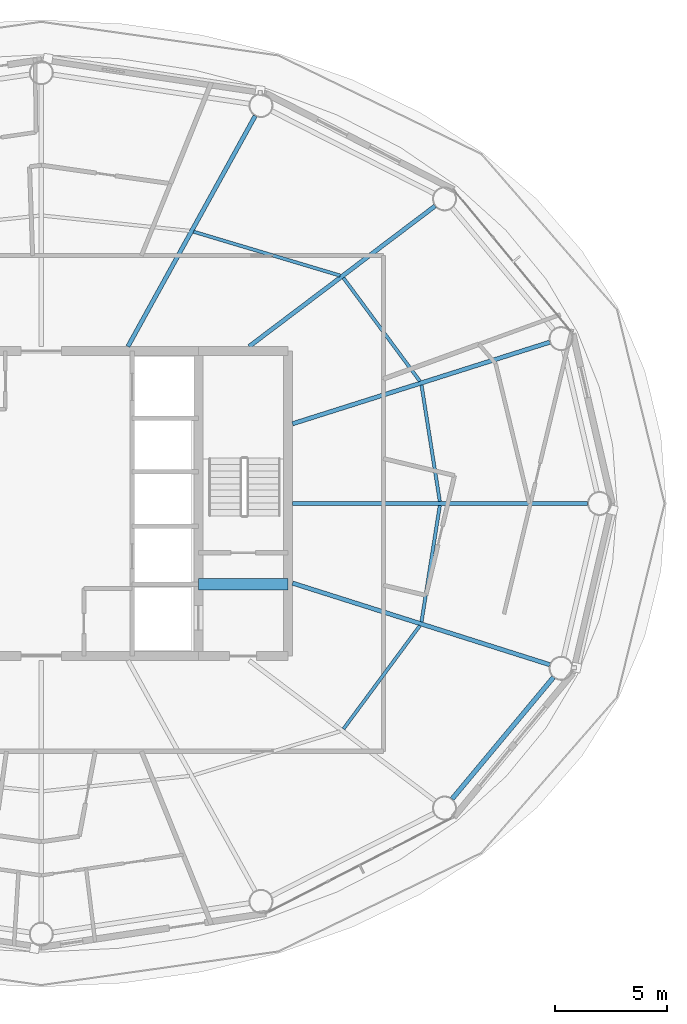
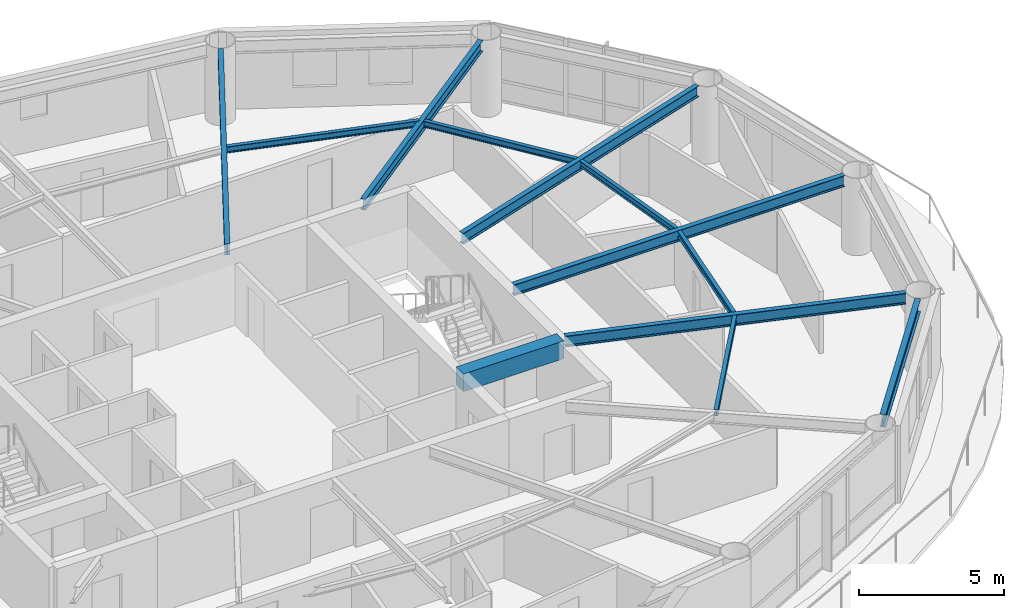
# One storey, part 8 of 24: 12 beams.
"""IFC4 building model written with IfcOpenShell, lengths in metres."""

import ifcopenshell
import ifcopenshell.guid

model = None  # the IFC model being written
_history = None  # IfcOwnerHistory: only IFC2X3 demands one
_inside = {}  # id of a spatial element -> (the spatial element, [elements in it])
_under = {}  # id of a project, library or spatial element -> (it, [spatial elements below it])
_declared = {}  # id of a project -> (the project, [libraries it declares])
_typed = {}  # id of a type object -> (the type object, [elements of that type])
_made_of = {}  # id of a material, layer set ... -> (it, [elements and type objects made of it])


def new_model(schema):
    """Start an empty IFC model of exactly this schema.

    Asked for "IFC4X3", IfcOpenShell would pick the latest addendum, in which some entities
    have other attributes; the version numbers below select the first issue.
    IFC2X3 requires an IfcOwnerHistory on every rooted entity: one is made here for all.
    """
    global model, _history
    if schema == "IFC4X3":
        model = ifcopenshell.file(schema_version=(4, 3, 0, 0))
    else:
        model = ifcopenshell.file(schema=schema)
    _inside.clear()
    _under.clear()
    _declared.clear()
    _typed.clear()
    _made_of.clear()
    _history = None
    if model.schema == "IFC2X3":
        org = make("IfcOrganization", Name="unknown")
        user = make(
            "IfcPersonAndOrganization",
            ThePerson=make("IfcPerson", FamilyName="unknown"),
            TheOrganization=org,
        )
        app = make(
            "IfcApplication",
            ApplicationDeveloper=org,
            Version="unknown",
            ApplicationFullName="unknown",
            ApplicationIdentifier="unknown",
        )
        _history = make(
            "IfcOwnerHistory",
            OwningUser=user,
            OwningApplication=app,
            ChangeAction="ADDED",
            CreationDate=0,
        )
    return model


def make(cls, **values):
    """One entity of the class cls with the attributes given. An attribute that is None is left unset."""
    return model.create_entity(
        cls, **{name: value for name, value in values.items() if value is not None}
    )


def rooted(cls, **values):
    """An entity with a GlobalId (a new one), such as an element, a storey or a relation."""
    return make(cls, GlobalId=ifcopenshell.guid.new(), OwnerHistory=_history, **values)


def si_unit(unit_type, name, prefix=None):
    """IfcSIUnit, for example si_unit("LENGTHUNIT", "METRE", prefix="MILLI")."""
    return make("IfcSIUnit", UnitType=unit_type, Prefix=prefix, Name=name)


def assignment(units):
    """IfcUnitAssignment: the units of a project."""
    return None if units is None else make("IfcUnitAssignment", Units=units)


def point(xyz):
    """IfcCartesianPoint."""
    return None if xyz is None else make("IfcCartesianPoint", Coordinates=xyz)


def direction(xyz):
    """IfcDirection."""
    return None if xyz is None else make("IfcDirection", DirectionRatios=xyz)


def frame(location, z_axis=None, x_axis=None):
    """IfcAxis2Placement3D, a coordinate frame: its origin and axes. An axis left out is left unset."""
    return make(
        "IfcAxis2Placement3D",
        Location=point(location),
        Axis=direction(z_axis),
        RefDirection=direction(x_axis),
    )


def frame_2d(location, x_axis=None):
    """IfcAxis2Placement2D, a coordinate frame in the plane: its origin and x axis."""
    return make(
        "IfcAxis2Placement2D", Location=point(location), RefDirection=direction(x_axis)
    )


def origin():
    """The frame at (0, 0, 0) with its axes left unset."""
    return frame((0.0, 0.0, 0.0))


def origin_2d():
    """The frame at (0, 0) in the plane with its x axis left unset."""
    return frame_2d((0.0, 0.0))


def place(relative_to, where):
    """IfcLocalPlacement: puts the frame where relative to a parent placement (None: the world)."""
    return make(
        "IfcLocalPlacement", PlacementRelTo=relative_to, RelativePlacement=where
    )


def context(
    kind, dimensions, precision=None, world=None, true_north=None, identifier=None
):
    """IfcGeometricRepresentationContext, for example the 3D "Model" context."""
    return make(
        "IfcGeometricRepresentationContext",
        ContextIdentifier=identifier,
        ContextType=kind,
        CoordinateSpaceDimension=dimensions,
        Precision=precision,
        WorldCoordinateSystem=world,
        TrueNorth=true_north,
    )


def subcontext(parent, identifier, kind, view, scale=None):
    """IfcGeometricRepresentationSubContext, for example "Body" below "Model"."""
    return make(
        "IfcGeometricRepresentationSubContext",
        ContextIdentifier=identifier,
        ContextType=kind,
        ParentContext=parent,
        TargetScale=scale,
        TargetView=view,
    )


def project(units=None, contexts=None):
    """IfcProject with its units and contexts."""
    return rooted(
        "IfcProject",
        Name="project",
        RepresentationContexts=contexts,
        UnitsInContext=assignment(units),
    )


def spatial(cls, under=None, at=None, **own):
    """A site, building, storey or space (cls), placed at a placement, below another one or the project."""
    s = rooted(cls, ObjectPlacement=at, **own)
    if under is not None:
        _under.setdefault(under.id(), (under, []))[1].append(s)
    return s


def profile(cls, at=None, kind="AREA", **sizes):
    """A parametric profile (cls). Its sizes go by their IFC names, for example OverallWidth=200.0."""
    return make(cls, ProfileType=kind, Position=at, **sizes)


def rectangle(**sizes):
    """IfcRectangleProfileDef."""
    return profile("IfcRectangleProfileDef", **sizes)


def i_section(**sizes):
    """IfcIShapeProfileDef."""
    return profile("IfcIShapeProfileDef", **sizes)


def extrude(swept, where, along, depth):
    """IfcExtrudedAreaSolid: the profile swept, set in the frame where, extruded along a direction by depth."""
    return make(
        "IfcExtrudedAreaSolid",
        SweptArea=swept,
        Position=where,
        ExtrudedDirection=direction(along),
        Depth=depth,
    )


def shape(context_of_items, identifier, shape_type, items):
    """IfcShapeRepresentation: the items that make up one representation, for example the "Body"."""
    return make(
        "IfcShapeRepresentation",
        ContextOfItems=context_of_items,
        RepresentationIdentifier=identifier,
        RepresentationType=shape_type,
        Items=items,
    )


def material(Name=None, Category=None):
    """IfcMaterial."""
    return make("IfcMaterial", Name=Name, Category=Category)


def material_profile(
    of_material, cross_section, Name=None, Category=None, Priority=None
):
    """IfcMaterialProfile: a cross section and its material."""
    return make(
        "IfcMaterialProfile",
        Name=Name,
        Material=of_material,
        Profile=cross_section,
        Priority=Priority,
        Category=Category,
    )


def profile_set(profiles, Name=None, composite=None):
    """IfcMaterialProfileSet."""
    return make(
        "IfcMaterialProfileSet",
        Name=Name,
        MaterialProfiles=profiles,
        CompositeProfile=composite,
    )


def made_of(thing, what):
    """Note that an element or type object is made of a material, layer set ...; save() writes the relation."""
    if what is not None:
        _made_of.setdefault(what.id(), (what, []))[1].append(thing)
    return thing


def type_object(cls, material=None, **own):
    """A type object (cls), such as IfcWallType, which elements share."""
    return made_of(rooted(cls, **own), material)


def element(
    cls,
    number,
    at=None,
    inside=None,
    cuts=None,
    type_object=None,
    material=None,
    context=None,
    identifier="Body",
    shape_type=None,
    held_by="IfcProductDefinitionShape",
    body=None,
    shapes=None,
    **own,
):
    """One element of the class cls, such as IfcWall. Its Tag is "e" and its number.

    at: its placement. inside: the storey or other place that contains it. cuts: it is an
    opening in that element (IfcRelVoidsElement). A single representation is given by context,
    identifier, shape_type and body (its items); several are given by shapes. held_by: the class
    of the entity that holds the representations. save() writes the other relations.
    """
    e = rooted(cls, Tag="e%d" % number, ObjectPlacement=at, **own)
    if body is not None:
        shapes = [shape(context, identifier, shape_type, body)]
    if shapes is not None:
        e.Representation = make(held_by, Representations=shapes)
    if inside is not None:
        _inside.setdefault(inside.id(), (inside, []))[1].append(e)
    if cuts is not None:
        rooted(
            "IfcRelVoidsElement", RelatingBuildingElement=cuts, RelatedOpeningElement=e
        )
    if type_object is not None:
        _typed.setdefault(type_object.id(), (type_object, []))[1].append(e)
    return made_of(e, material)


def aggregate(whole, parts):
    """IfcRelAggregates: a whole, such as a stair, and the parts it consists of."""
    return rooted("IfcRelAggregates", RelatingObject=whole, RelatedObjects=parts)


def save(model, path):
    """Write the relations noted so far, then the file.

    IfcRelAggregates (storeys below a building ...), IfcRelContainedInSpatialStructure (elements
    in a storey), IfcRelDefinesByType, IfcRelAssociatesMaterial and IfcRelDeclares: one each for
    every whole, place, type object, material and project.
    """
    for whole, parts in _under.values():
        aggregate(whole, parts)
    for where, things in _inside.values():
        rooted(
            "IfcRelContainedInSpatialStructure",
            RelatedElements=things,
            RelatingStructure=where,
        )
    for kind, things in _typed.values():
        rooted("IfcRelDefinesByType", RelatedObjects=things, RelatingType=kind)
    for what, things in _made_of.values():
        rooted("IfcRelAssociatesMaterial", RelatedObjects=things, RelatingMaterial=what)
    for by, libraries in _declared.values():
        rooted("IfcRelDeclares", RelatingContext=by, RelatedDefinitions=libraries)
    model.write(path)


model = new_model("IFC4")

# Units and contexts
model_context = context("Model", 3, precision=1e-05, world=origin(), true_north=direction((0.0, 1.0)))
body_context = subcontext(model_context, "Body", "Model", "MODEL_VIEW")
ifc_project = project(units=[si_unit("LENGTHUNIT", "METRE"), si_unit("AREAUNIT", "SQUARE_METRE"), si_unit("VOLUMEUNIT", "CUBIC_METRE"), si_unit("PLANEANGLEUNIT", "RADIAN"), si_unit("MASSUNIT", "GRAM", prefix="KILO")], contexts=[model_context])

# Site, building, storey
site_placement = place(None, origin())
site = spatial("IfcSite", under=ifc_project, at=site_placement, CompositionType="ELEMENT")
building_placement = place(site_placement, origin())
building = spatial("IfcBuilding", under=site, at=building_placement, Name="Sarneth Arch Tower", CompositionType="ELEMENT")
storey_placement = place(building_placement, frame((0.0, 0.0, 253.199951171875)))
storey = spatial("IfcBuildingStorey", under=building, at=storey_placement, Name="L65", CompositionType="ELEMENT", Elevation=253.199951171875)

# Beams
ifc_material_1 = material(Name="Steel S355", Category="steel")
ifc_material_profile_1 = material_profile(ifc_material_1, i_section(OverallWidth=0.14794921875, OverallDepth=0.26611328125, WebThickness=0.007568359375, FlangeThickness=0.012939453125, FilletRadius=0.012939453125, at=origin_2d()), Name="W250x44.8")
ifc_profile_set_1 = profile_set([ifc_material_profile_1], Name="Steel S355")
beam_type_1 = type_object("IfcBeamType", Name="BM-JOIST-250", PredefinedType="JOIST", material=ifc_profile_set_1)
beam_1_placement = place(storey_placement, frame((65.76416015625, 42.0947265625, 3.116943359375), z_axis=(-0.155393595615, 0.987852635995, 0.0), x_axis=(-0.987852635995, -0.155393595615, 0.0)))
element("IfcBeam", 1, at=beam_1_placement, inside=storey, type_object=beam_type_1, Name="L65 Secondary floor joist 01", PredefinedType="JOIST", context=body_context, shape_type="SweptSolid", body=[
    extrude(i_section(OverallWidth=0.14794921875, OverallDepth=0.26611328125, WebThickness=0.007568359375, FlangeThickness=0.012939453125, FilletRadius=0.012939453125, at=origin_2d()), origin(), (0.0, 0.0, 1.0), 5.244384765625),
])
beam_2_placement = place(storey_placement, frame((64.877197265625, 47.447509765625, 3.116943359375), z_axis=(-0.594853468946, 0.803834156081, 0.0), x_axis=(-0.803834156081, -0.594853468946, 0.0)))
element("IfcBeam", 2, at=beam_2_placement, inside=storey, type_object=beam_type_1, Name="L65 Secondary floor joist 02", PredefinedType="JOIST", context=body_context, shape_type="SweptSolid", body=[
    extrude(i_section(OverallWidth=0.14794921875, OverallDepth=0.26611328125, WebThickness=0.007568359375, FlangeThickness=0.012939453125, FilletRadius=0.012939453125, at=origin_2d()), origin(), (0.0, 0.0, 1.0), 5.72900390625),
])
beam_3_placement = place(storey_placement, frame((61.320068359375, 52.157470703125, 3.116943359375), z_axis=(-0.957984908347, 0.286818610589, 0.0), x_axis=(-0.286818610589, -0.957984908347, 0.0)))
element("IfcBeam", 3, at=beam_3_placement, inside=storey, type_object=beam_type_1, Name="L65 Secondary floor joist 03", PredefinedType="JOIST", context=body_context, shape_type="SweptSolid", body=[
    extrude(i_section(OverallWidth=0.14794921875, OverallDepth=0.26611328125, WebThickness=0.007568359375, FlangeThickness=0.012939453125, FilletRadius=0.012939453125, at=origin_2d()), origin(), (0.0, 0.0, 1.0), 6.81396484375),
])
beam_4_placement = place(storey_placement, frame((61.46923828125, 31.947265625, 3.116943359375), z_axis=(0.594853468946, 0.803834156081, 0.0), x_axis=(-0.803834156081, 0.594853468946, 0.0)))
element("IfcBeam", 4, at=beam_4_placement, inside=storey, type_object=beam_type_1, Name="L65 Secondary floor joist 15", PredefinedType="JOIST", context=body_context, shape_type="SweptSolid", body=[
    extrude(i_section(OverallWidth=0.14794921875, OverallDepth=0.26611328125, WebThickness=0.007568359375, FlangeThickness=0.012939453125, FilletRadius=0.012939453125, at=origin_2d()), origin(), (0.0, 0.0, 1.0), 5.72900390625),
])
beam_5_placement = place(storey_placement, frame((64.94921875, 36.724609375, 3.116943359375), z_axis=(0.155393595615, 0.987852635995, 0.0), x_axis=(-0.987852635995, 0.155393595615, 0.0)))
element("IfcBeam", 5, at=beam_5_placement, inside=storey, type_object=beam_type_1, Name="L65 Secondary floor joist 16", PredefinedType="JOIST", context=body_context, shape_type="SweptSolid", body=[
    extrude(i_section(OverallWidth=0.14794921875, OverallDepth=0.26611328125, WebThickness=0.007568359375, FlangeThickness=0.012939453125, FilletRadius=0.012939453125, at=origin_2d()), origin(), (0.0, 0.0, 1.0), 5.244384765625),
])
ifc_material_2 = material(Name="Concrete C50/60", Category="concrete")
ifc_material_profile_2 = material_profile(ifc_material_2, rectangle(XDim=0.5, YDim=0.75, at=origin_2d()), Name="RC-500x750")
ifc_profile_set_2 = profile_set([ifc_material_profile_2], Name="Concrete C50/60")
beam_type_2 = type_object("IfcBeamType", Name="BM-LINTEL-RC", PredefinedType="LINTEL", material=ifc_profile_set_2)
beam_6_placement = place(storey_placement, frame((55.0, 38.39990234375, 2.875), z_axis=(1.0, 0.0, 0.0), x_axis=(0.0, 1.0, 0.0)))
element("IfcBeam", 6, at=beam_6_placement, inside=storey, type_object=beam_type_2, Name="L65 Core coupling lintel E", PredefinedType="LINTEL", context=body_context, shape_type="SweptSolid", body=[
    extrude(rectangle(XDim=0.5, YDim=0.75, at=origin_2d()), origin(), (0.0, 0.0, 1.0), 4.0),
])
ifc_material_3 = material(Name="Steel S355", Category="steel")
ifc_material_profile_3 = material_profile(ifc_material_3, i_section(OverallWidth=0.19189453125, OverallDepth=0.462890625, WebThickness=0.010498046875, FlangeThickness=0.017578125, FilletRadius=0.01806640625, at=origin_2d()), Name="W460x89")
ifc_profile_set_3 = profile_set([ifc_material_profile_3], Name="Steel S355")
beam_type_3 = type_object("IfcBeamType", Name="BM-RAD-460B", PredefinedType="BEAM", material=ifc_profile_set_3)
beam_7_placement = place(storey_placement, frame((59.199951171875, 42.0, 3.0185546875), z_axis=(1.0, 0.0, 0.0), x_axis=(0.0, 1.0, 0.0)))
element("IfcBeam", 7, at=beam_7_placement, inside=storey, type_object=beam_type_3, Name="L65 Radial floor girder 01", PredefinedType="BEAM", context=body_context, shape_type="SweptSolid", body=[
    extrude(i_section(OverallWidth=0.19189453125, OverallDepth=0.462890625, WebThickness=0.010498046875, FlangeThickness=0.017578125, FilletRadius=0.01806640625, at=origin_2d()), origin(), (0.0, 0.0, 1.0), 13.158203125),
])
beam_8_placement = place(storey_placement, frame((59.199951171875, 45.5517578125, 3.0185546875), z_axis=(0.953216092177, 0.302289731243, 0.0), x_axis=(-0.302289731243, 0.953216092177, 0.0)))
element("IfcBeam", 8, at=beam_8_placement, inside=storey, type_object=beam_type_3, Name="L65 Radial floor girder 02", PredefinedType="BEAM", context=body_context, shape_type="SweptSolid", body=[
    extrude(i_section(OverallWidth=0.19189453125, OverallDepth=0.462890625, WebThickness=0.010498046875, FlangeThickness=0.017578125, FilletRadius=0.01806640625, at=origin_2d()), origin(), (0.0, 0.0, 1.0), 12.031494140625),
])
beam_9_placement = place(storey_placement, frame((57.26806640625, 49.0, 3.0185546875), z_axis=(0.79797308069, 0.60269309146, 0.0), x_axis=(-0.60269309146, 0.79797308069, 0.0)))
element("IfcBeam", 9, at=beam_9_placement, inside=storey, type_object=beam_type_3, Name="L65 Radial floor girder 03", PredefinedType="BEAM", context=body_context, shape_type="SweptSolid", body=[
    extrude(i_section(OverallWidth=0.19189453125, OverallDepth=0.462890625, WebThickness=0.010498046875, FlangeThickness=0.017578125, FilletRadius=0.01806640625, at=origin_2d()), origin(), (0.0, 0.0, 1.0), 10.38671875),
])
beam_10_placement = place(storey_placement, frame((51.86376953125, 49.0, 3.0185546875), z_axis=(0.483225760768, 0.875495781903, 0.0), x_axis=(-0.875495781903, 0.483225760768, 0.0)))
element("IfcBeam", 10, at=beam_10_placement, inside=storey, type_object=beam_type_3, Name="L65 Radial floor girder 04", PredefinedType="BEAM", context=body_context, shape_type="SweptSolid", body=[
    extrude(i_section(OverallWidth=0.19189453125, OverallDepth=0.462890625, WebThickness=0.010498046875, FlangeThickness=0.017578125, FilletRadius=0.01806640625, at=origin_2d()), origin(), (0.0, 0.0, 1.0), 11.740478515625),
])
beam_11_placement = place(storey_placement, frame((59.199951171875, 38.4482421875, 3.0185546875), z_axis=(0.953216092177, -0.302289731243, 0.0), x_axis=(0.302289731243, 0.953216092177, 0.0)))
element("IfcBeam", 11, at=beam_11_placement, inside=storey, type_object=beam_type_3, Name="L65 Radial floor girder 16", PredefinedType="BEAM", context=body_context, shape_type="SweptSolid", body=[
    extrude(i_section(OverallWidth=0.19189453125, OverallDepth=0.462890625, WebThickness=0.010498046875, FlangeThickness=0.017578125, FilletRadius=0.01806640625, at=origin_2d()), origin(), (0.0, 0.0, 1.0), 12.031494140625),
])
ifc_material_4 = material(Name="Steel S355", Category="steel")
ifc_material_profile_4 = material_profile(ifc_material_4, i_section(OverallWidth=0.2109375, OverallDepth=0.5390625, WebThickness=0.01171875, FlangeThickness=0.018798828125, FilletRadius=0.01806640625, at=origin_2d()), Name="W530x109")
ifc_profile_set_4 = profile_set([ifc_material_profile_4], Name="Steel S355")
beam_type_4 = type_object("IfcBeamType", Name="BM-RAD-530B", PredefinedType="BEAM", material=ifc_profile_set_4)
beam_12_placement = place(storey_placement, frame((66.3115234375, 28.82666015625, 2.98046875), z_axis=(0.640364654985, 0.76807103099, 0.0), x_axis=(-0.76807103099, 0.640364654985, 0.0)))
element("IfcBeam", 12, at=beam_12_placement, inside=storey, type_object=beam_type_4, Name="L65 Perimeter spandrel beam 15", PredefinedType="BEAM", context=body_context, shape_type="SweptSolid", body=[
    extrude(i_section(OverallWidth=0.2109375, OverallDepth=0.5390625, WebThickness=0.01171875, FlangeThickness=0.018798828125, FilletRadius=0.01806640625, at=origin_2d()), origin(), (0.0, 0.0, 1.0), 7.06005859375),
])

save(model, "model.ifc")
